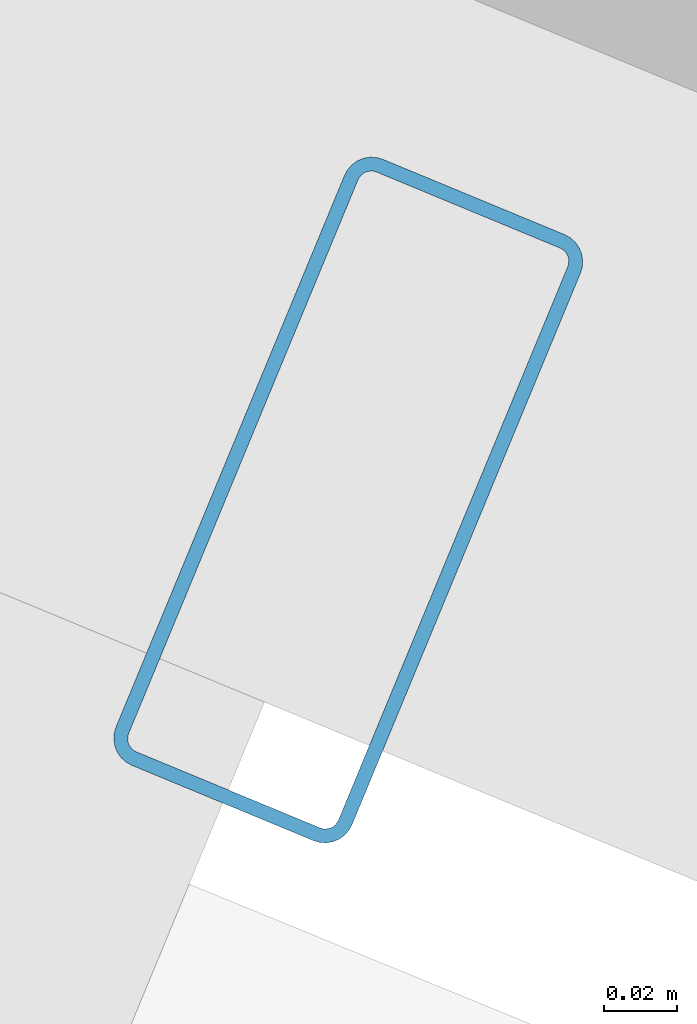
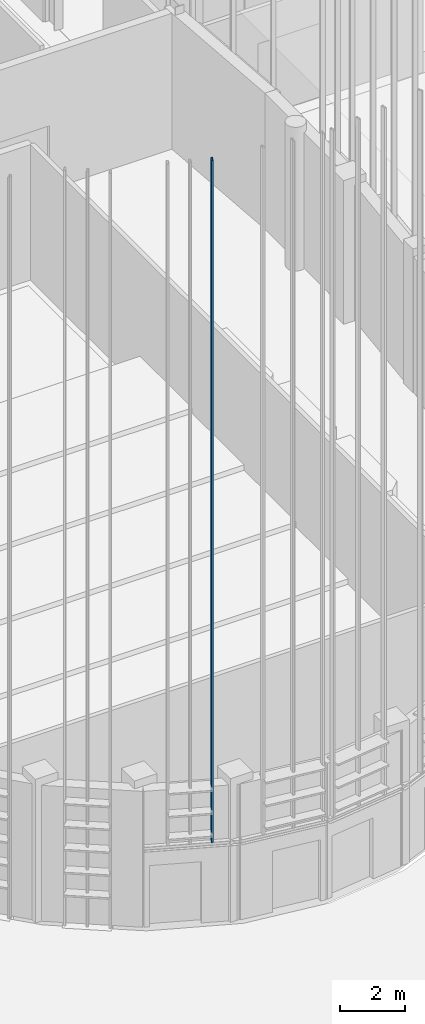
# One storey, part 27 of 372: 1 member.
"""IFC4 building model written with IfcOpenShell, lengths in metres."""

from ifc_helpers import new_model, si_unit, direction, frame, origin, origin_2d, place, context, subcontext, project, spatial, hollow_rectangle, extrude, material, material_profile, profile_set, type_object, element, save


model = new_model("IFC4")

# Units and contexts
model_context = context("Model", 3, precision=1e-05, world=origin(), true_north=direction((0.0, 1.0)))
body_context = subcontext(model_context, "Body", "Model", "MODEL_VIEW")
ifc_project = project(units=[si_unit("LENGTHUNIT", "METRE"), si_unit("AREAUNIT", "SQUARE_METRE"), si_unit("VOLUMEUNIT", "CUBIC_METRE"), si_unit("PLANEANGLEUNIT", "RADIAN"), si_unit("MASSUNIT", "GRAM", prefix="KILO")], contexts=[model_context])

# Site, building, storey
site_placement = place(None, origin())
site = spatial("IfcSite", under=ifc_project, at=site_placement, CompositionType="ELEMENT")
building_placement = place(site_placement, origin())
building = spatial("IfcBuilding", under=site, at=building_placement, Name="Kaelora Sail Theatre", CompositionType="ELEMENT")
storey_placement = place(building_placement, origin())
storey = spatial("IfcBuildingStorey", under=building, at=storey_placement, Name="L00", CompositionType="ELEMENT", Elevation=0.0)

# Member
ifc_material = material(Name="Anodised aluminium 6063-T6", Category="aluminium")
ifc_material_profile = material_profile(ifc_material, hollow_rectangle(XDim=0.070068359375, YDim=0.179931640625, WallThickness=0.00390625, InnerFilletRadius=0.00390625, OuterFilletRadius=0.008056640625, at=origin_2d()), Name="ALU-MULL 70x180x4")
ifc_profile_set = profile_set([ifc_material_profile], Name="Anodised aluminium 6063-T6")
member_type = type_object("IfcMemberType", Name="ARC-MEM-PST-160", PredefinedType="POST", material=ifc_profile_set)
member_placement = place(storey_placement, frame((38.298583984375, 24.263671875, 3.10009765625), z_axis=(0.0, 0.0, 1.0), x_axis=(-0.923879532511, 0.382683432365, 0.0)))
element("IfcMember", 1, at=member_placement, inside=storey, type_object=member_type, Name="Main Theatre Sail Drum solar louvre vertical support post C13-1", PredefinedType="POST", context=body_context, shape_type="SweptSolid", body=[
    extrude(hollow_rectangle(XDim=0.070068359375, YDim=0.179931640625, WallThickness=0.00390625, InnerFilletRadius=0.00390625, OuterFilletRadius=0.008056640625, at=origin_2d()), origin(), (0.0, 0.0, 1.0), 25.63330078125),
])

save(model, "model.ifc")
